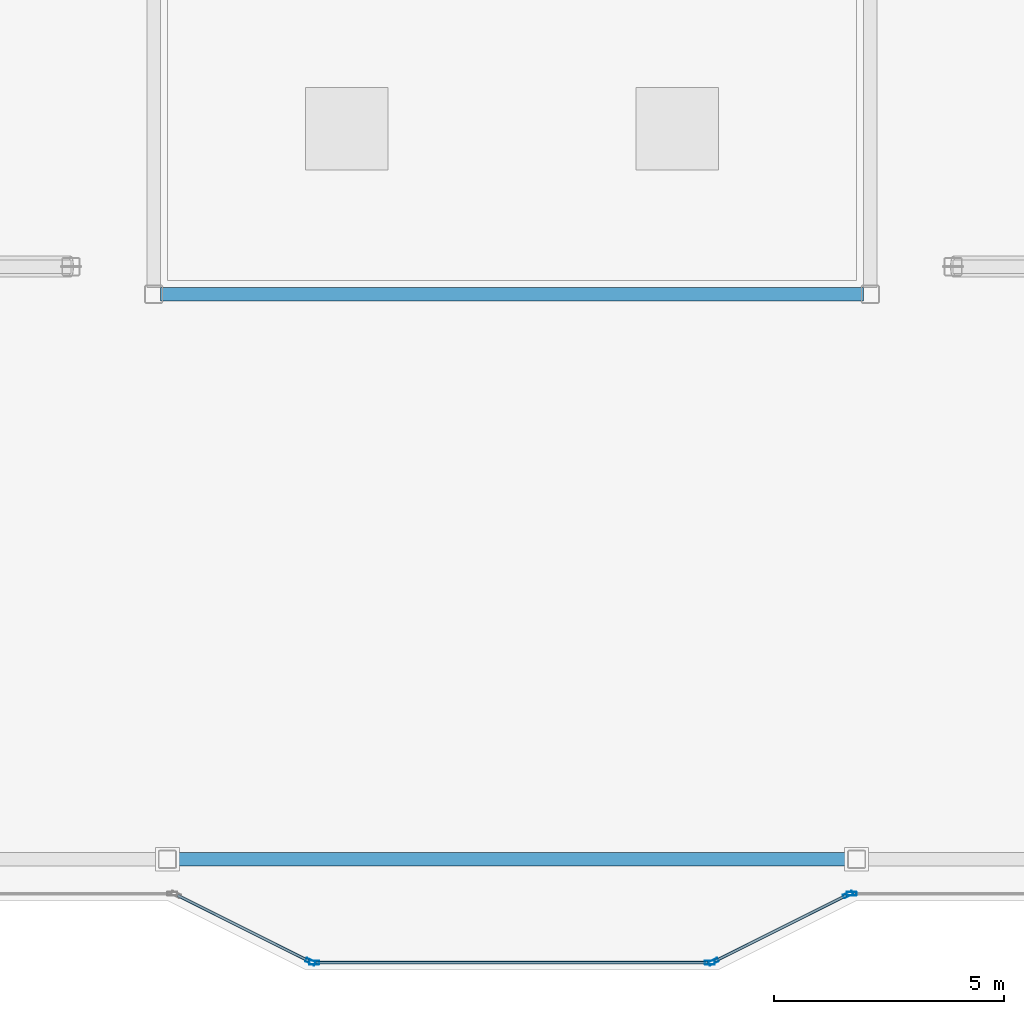
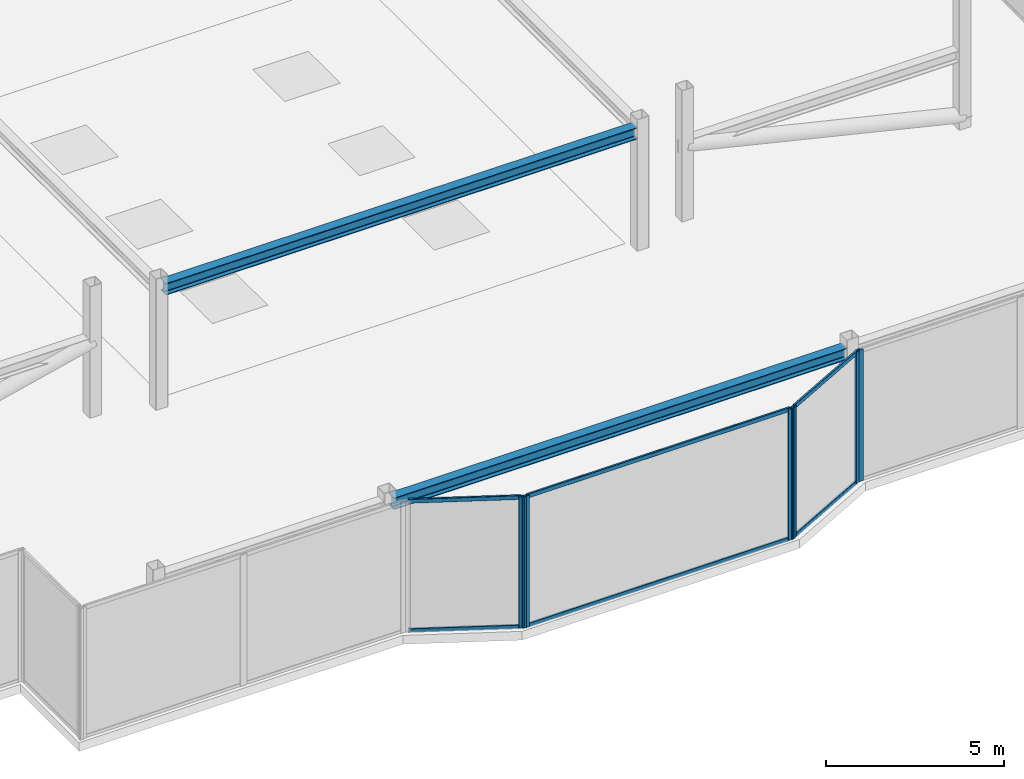
# One storey, part 4 of 18: 12 members, 2 beams, 4 elements without a shape of their own.
"""IFC4 building model written with IfcOpenShell, lengths in metres."""

from ifc_helpers import new_model, si_unit, direction, frame, origin, origin_2d, place, context, subcontext, project, spatial, hollow_rectangle, i_section, extrude, material, layer, layer_set, material_profile, profile_set, type_object, element, aggregate, save


model = new_model("IFC4")

# Units and contexts
model_context = context("Model", 3, precision=1e-05, world=origin(), true_north=direction((0.0, 1.0)))
body_context = subcontext(model_context, "Body", "Model", "MODEL_VIEW")
ifc_project = project(units=[si_unit("LENGTHUNIT", "METRE"), si_unit("AREAUNIT", "SQUARE_METRE"), si_unit("VOLUMEUNIT", "CUBIC_METRE"), si_unit("PLANEANGLEUNIT", "RADIAN"), si_unit("MASSUNIT", "GRAM", prefix="KILO")], contexts=[model_context])

# Site, building, storey
site_placement = place(None, origin())
site = spatial("IfcSite", under=ifc_project, at=site_placement, CompositionType="ELEMENT")
building_placement = place(site_placement, origin())
building = spatial("IfcBuilding", under=site, at=building_placement, Name="Tarnavaz Court Tower", CompositionType="ELEMENT")
storey_placement = place(building_placement, frame((0.0, 0.0, 281.550048828125)))
storey = spatial("IfcBuildingStorey", under=building, at=storey_placement, Name="C01", CompositionType="ELEMENT", Elevation=281.550048828125)

# Beams
ifc_material_1 = material(Name="Steel S355", Category="steel")
ifc_material_profile_1 = material_profile(ifc_material_1, i_section(OverallWidth=0.300048828125, OverallDepth=0.39990234375, WebThickness=0.013427734375, FlangeThickness=0.02392578125, FilletRadius=0.027099609375, at=origin_2d()), Name="HEB 400")
ifc_profile_set_1 = profile_set([ifc_material_profile_1], Name="Steel S355")
beam_type = type_object("IfcBeamType", Name="BM-G-HEB400", PredefinedType="USERDEFINED", material=ifc_profile_set_1)
beam_1_placement = place(storey_placement, frame((-7.64990234375, -7.800048828125, 4.0), z_axis=(1.0, 0.0, 0.0), x_axis=(0.0, 1.0, 0.0)))
element("IfcBeam", 1, at=beam_1_placement, inside=storey, type_object=beam_type, Name="C01 Beam CRG-IW-SW-IW-SE", ObjectType="GIRDER", PredefinedType="USERDEFINED", context=body_context, shape_type="SweptSolid", body=[
    extrude(i_section(OverallWidth=0.300048828125, OverallDepth=0.39990234375, WebThickness=0.013427734375, FlangeThickness=0.02392578125, FilletRadius=0.027099609375, at=origin_2d()), origin(), (0.0, 0.0, 1.0), 15.2998046875),
])
beam_2_placement = place(storey_placement, frame((-7.35009765625, -20.10009765625, 4.0), z_axis=(1.0, 0.0, 0.0), x_axis=(0.0, 1.0, 0.0)))
element("IfcBeam", 2, at=beam_2_placement, inside=storey, type_object=beam_type, Name="C01 Beam CRG-PS-2-PS-3", ObjectType="GIRDER", PredefinedType="USERDEFINED", context=body_context, shape_type="SweptSolid", body=[
    extrude(i_section(OverallWidth=0.300048828125, OverallDepth=0.39990234375, WebThickness=0.013427734375, FlangeThickness=0.02392578125, FilletRadius=0.027099609375, at=origin_2d()), origin(), (0.0, 0.0, 1.0), 14.7001953125),
])

# Curtain wall, member
ifc_material_2 = material(Name="Anodised Aluminium 6063-T6 and Solar Low-E Glazing", Category="aluminium")
ifc_layer = layer(ifc_material_2, 0.2099609375)
ifc_layer_set = layer_set([ifc_layer], Name="Anodised Aluminium 6063-T6 and Solar Low-E Glazing")
curtain_wall_type = type_object("IfcCurtainWallType", Name="CW-SYS-06", PredefinedType="NOTDEFINED", material=ifc_layer_set)
curtain_wall_1_placement = place(storey_placement, origin())
curtain_wall_1 = element("IfcCurtainWall", 3, at=curtain_wall_1_placement, inside=storey, type_object=curtain_wall_type, Name="C01 Slanted Crown Terracotta Curtain Wall 37", PredefinedType="NOTDEFINED")
ifc_material_3 = material(Name="Anodised Aluminium 6063-T6", Category="aluminium")
ifc_material_profile_2 = material_profile(ifc_material_3, hollow_rectangle(XDim=0.0849609375, YDim=0.219970703125, WallThickness=0.006103515625, InnerFilletRadius=0.006103515625, OuterFilletRadius=0.011962890625, at=origin_2d()), Name="ALU RHS 220X85X6")
ifc_profile_set_2 = profile_set([ifc_material_profile_2], Name="Anodised Aluminium 6063-T6")
member_type_1 = type_object("IfcMemberType", Name="CW-MUL-220", PredefinedType="MULLION", material=ifc_profile_set_2)
member_1_placement = place(storey_placement, frame((7.392578125, -20.85009765625, 0.0), z_axis=(0.0, 0.0, 1.0), x_axis=(0.0, -1.0, 0.0)))
member_1 = element("IfcMember", 4, at=member_1_placement, type_object=member_type_1, Name="CW mullion 3", PredefinedType="MULLION", context=body_context, shape_type="SweptSolid", body=[
    extrude(hollow_rectangle(XDim=0.0849609375, YDim=0.219970703125, WallThickness=0.006103515625, InnerFilletRadius=0.006103515625, OuterFilletRadius=0.011962890625, at=origin_2d()), origin(), (0.0, 0.0, 1.0), 4.5),
])
aggregate(curtain_wall_1, [member_1])

# Curtain wall, members
curtain_wall_2_placement = place(storey_placement, origin())
curtain_wall_2 = element("IfcCurtainWall", 5, at=curtain_wall_2_placement, inside=storey, type_object=curtain_wall_type, Name="C01 Slanted Crown Terracotta Curtain Wall 38", PredefinedType="NOTDEFINED")
member_2_placement = place(storey_placement, frame((7.31201171875, -20.868896484375, 0.0), z_axis=(0.0, 0.0, 1.0), x_axis=(0.447213595499, -0.894427191001, 0.0)))
member_2 = element("IfcMember", 6, at=member_2_placement, type_object=member_type_1, Name="CW mullion 1", PredefinedType="MULLION", context=body_context, shape_type="SweptSolid", body=[
    extrude(hollow_rectangle(XDim=0.0849609375, YDim=0.219970703125, WallThickness=0.006103515625, InnerFilletRadius=0.006103515625, OuterFilletRadius=0.011962890625, at=origin_2d()), origin(), (0.0, 0.0, 1.0), 4.5),
])
member_3_placement = place(storey_placement, frame((4.387939453125, -22.3310546875, 0.0), z_axis=(0.0, 0.0, 1.0), x_axis=(0.447213595499, -0.894427191001, 0.0)))
member_3 = element("IfcMember", 7, at=member_3_placement, type_object=member_type_1, Name="CW mullion 2", PredefinedType="MULLION", context=body_context, shape_type="SweptSolid", body=[
    extrude(hollow_rectangle(XDim=0.0849609375, YDim=0.219970703125, WallThickness=0.006103515625, InnerFilletRadius=0.006103515625, OuterFilletRadius=0.011962890625, at=origin_2d()), origin(), (0.0, 0.0, 1.0), 4.5),
])

curtain_wall_3_placement = place(storey_placement, origin())
curtain_wall_3 = element("IfcCurtainWall", 8, at=curtain_wall_3_placement, inside=storey, type_object=curtain_wall_type, Name="C01 Slanted Crown Terracotta Curtain Wall 39", PredefinedType="NOTDEFINED")
member_4_placement = place(storey_placement, frame((4.3076171875, -22.35009765625, 0.0), z_axis=(0.0, 0.0, 1.0), x_axis=(0.0, -1.0, 0.0)))
member_4 = element("IfcMember", 9, at=member_4_placement, type_object=member_type_1, Name="CW mullion 1", PredefinedType="MULLION", context=body_context, shape_type="SweptSolid", body=[
    extrude(hollow_rectangle(XDim=0.0849609375, YDim=0.219970703125, WallThickness=0.006103515625, InnerFilletRadius=0.006103515625, OuterFilletRadius=0.011962890625, at=origin_2d()), origin(), (0.0, 0.0, 1.0), 4.5),
])
member_5_placement = place(storey_placement, frame((-4.3076171875, -22.35009765625, 0.0), z_axis=(0.0, 0.0, 1.0), x_axis=(0.0, -1.0, 0.0)))
member_5 = element("IfcMember", 10, at=member_5_placement, type_object=member_type_1, Name="CW mullion 2", PredefinedType="MULLION", context=body_context, shape_type="SweptSolid", body=[
    extrude(hollow_rectangle(XDim=0.0849609375, YDim=0.219970703125, WallThickness=0.006103515625, InnerFilletRadius=0.006103515625, OuterFilletRadius=0.011962890625, at=origin_2d()), origin(), (0.0, 0.0, 1.0), 4.5),
])

# Curtain wall, member
curtain_wall_4_placement = place(storey_placement, origin())
curtain_wall_4 = element("IfcCurtainWall", 11, at=curtain_wall_4_placement, inside=storey, type_object=curtain_wall_type, Name="C01 Slanted Crown Terracotta Curtain Wall 40", PredefinedType="NOTDEFINED")
member_6_placement = place(storey_placement, frame((-4.387939453125, -22.3310546875, 0.0), z_axis=(0.0, 0.0, 1.0), x_axis=(-0.447213595499, -0.894427191001, 0.0)))
member_6 = element("IfcMember", 12, at=member_6_placement, type_object=member_type_1, Name="CW mullion 1", PredefinedType="MULLION", context=body_context, shape_type="SweptSolid", body=[
    extrude(hollow_rectangle(XDim=0.0849609375, YDim=0.219970703125, WallThickness=0.006103515625, InnerFilletRadius=0.006103515625, OuterFilletRadius=0.011962890625, at=origin_2d()), origin(), (0.0, 0.0, 1.0), 4.5),
])

# Member
ifc_material_profile_3 = material_profile(ifc_material_3, hollow_rectangle(XDim=0.06494140625, YDim=0.139892578125, WallThickness=0.00390625, InnerFilletRadius=0.00390625, OuterFilletRadius=0.008056640625, at=origin_2d()), Name="ALU RHS 140X65X4")
ifc_profile_set_3 = profile_set([ifc_material_profile_3], Name="Anodised Aluminium 6063-T6")
member_type_2 = type_object("IfcMemberType", Name="CW-TRN-140", PredefinedType="USERDEFINED", material=ifc_profile_set_3)
member_7_placement = place(storey_placement, frame((7.27392578125, -20.887939453125, 0.032470703125), z_axis=(-0.894411855509, -0.447244265168, 0.0), x_axis=(0.447244265168, -0.894411855509, 0.0)))
member_7 = element("IfcMember", 13, at=member_7_placement, type_object=member_type_2, Name="CW transom 1.1", ObjectType="TRANSOM", PredefinedType="USERDEFINED", context=body_context, shape_type="SweptSolid", body=[
    extrude(hollow_rectangle(XDim=0.06494140625, YDim=0.139892578125, WallThickness=0.00390625, InnerFilletRadius=0.00390625, OuterFilletRadius=0.008056640625, at=origin_2d()), origin(), (0.0, 0.0, 1.0), 3.18408203125),
])

member_8_placement = place(storey_placement, frame((7.27392578125, -20.887939453125, 4.467529296875), z_axis=(-0.894411855509, -0.447244265168, 0.0), x_axis=(0.447244265168, -0.894411855509, 0.0)))
member_8 = element("IfcMember", 14, at=member_8_placement, type_object=member_type_2, Name="CW transom 1.2", ObjectType="TRANSOM", PredefinedType="USERDEFINED", context=body_context, shape_type="SweptSolid", body=[
    extrude(hollow_rectangle(XDim=0.06494140625, YDim=0.139892578125, WallThickness=0.00390625, InnerFilletRadius=0.00390625, OuterFilletRadius=0.008056640625, at=origin_2d()), origin(), (0.0, 0.0, 1.0), 3.18408203125),
])

aggregate(curtain_wall_2, [member_2, member_3, member_7, member_8])

member_9_placement = place(storey_placement, frame((4.264892578125, -22.35009765625, 0.032470703125), z_axis=(-1.0, 0.0, 0.0), x_axis=(0.0, -1.0, 0.0)))
member_9 = element("IfcMember", 15, at=member_9_placement, type_object=member_type_2, Name="CW transom 1.1", ObjectType="TRANSOM", PredefinedType="USERDEFINED", context=body_context, shape_type="SweptSolid", body=[
    extrude(hollow_rectangle(XDim=0.06494140625, YDim=0.139892578125, WallThickness=0.00390625, InnerFilletRadius=0.00390625, OuterFilletRadius=0.008056640625, at=origin_2d()), origin(), (0.0, 0.0, 1.0), 8.52978515625),
])

member_10_placement = place(storey_placement, frame((4.264892578125, -22.35009765625, 4.467529296875), z_axis=(-1.0, 0.0, 0.0), x_axis=(0.0, -1.0, 0.0)))
member_10 = element("IfcMember", 16, at=member_10_placement, type_object=member_type_2, Name="CW transom 1.2", ObjectType="TRANSOM", PredefinedType="USERDEFINED", context=body_context, shape_type="SweptSolid", body=[
    extrude(hollow_rectangle(XDim=0.06494140625, YDim=0.139892578125, WallThickness=0.00390625, InnerFilletRadius=0.00390625, OuterFilletRadius=0.008056640625, at=origin_2d()), origin(), (0.0, 0.0, 1.0), 8.52978515625),
])

aggregate(curtain_wall_3, [member_4, member_5, member_9, member_10])

member_11_placement = place(storey_placement, frame((-4.426025390625, -22.31201171875, 0.032470703125), z_axis=(-0.894411855509, 0.447244265168, 0.0), x_axis=(-0.447244265168, -0.894411855509, 0.0)))
member_11 = element("IfcMember", 17, at=member_11_placement, type_object=member_type_2, Name="CW transom 1.1", ObjectType="TRANSOM", PredefinedType="USERDEFINED", context=body_context, shape_type="SweptSolid", body=[
    extrude(hollow_rectangle(XDim=0.06494140625, YDim=0.139892578125, WallThickness=0.00390625, InnerFilletRadius=0.00390625, OuterFilletRadius=0.008056640625, at=origin_2d()), origin(), (0.0, 0.0, 1.0), 3.18408203125),
])

member_12_placement = place(storey_placement, frame((-4.426025390625, -22.31201171875, 4.467529296875), z_axis=(-0.894411855509, 0.447244265168, 0.0), x_axis=(-0.447244265168, -0.894411855509, 0.0)))
member_12 = element("IfcMember", 18, at=member_12_placement, type_object=member_type_2, Name="CW transom 1.2", ObjectType="TRANSOM", PredefinedType="USERDEFINED", context=body_context, shape_type="SweptSolid", body=[
    extrude(hollow_rectangle(XDim=0.06494140625, YDim=0.139892578125, WallThickness=0.00390625, InnerFilletRadius=0.00390625, OuterFilletRadius=0.008056640625, at=origin_2d()), origin(), (0.0, 0.0, 1.0), 3.18408203125),
])

aggregate(curtain_wall_4, [member_6, member_11, member_12])

save(model, "model.ifc")
